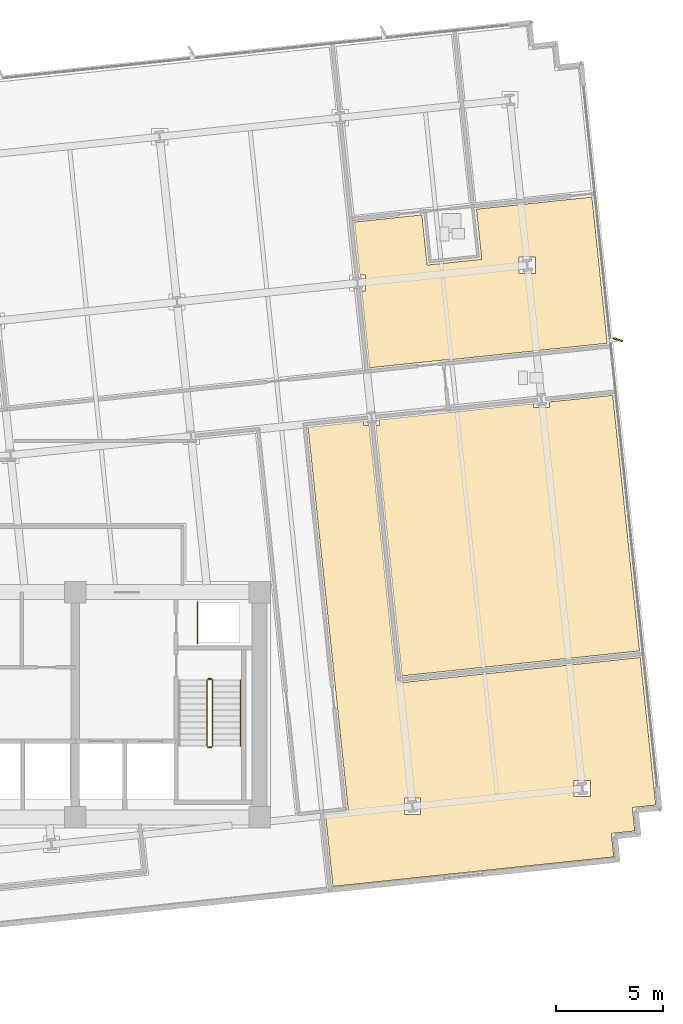
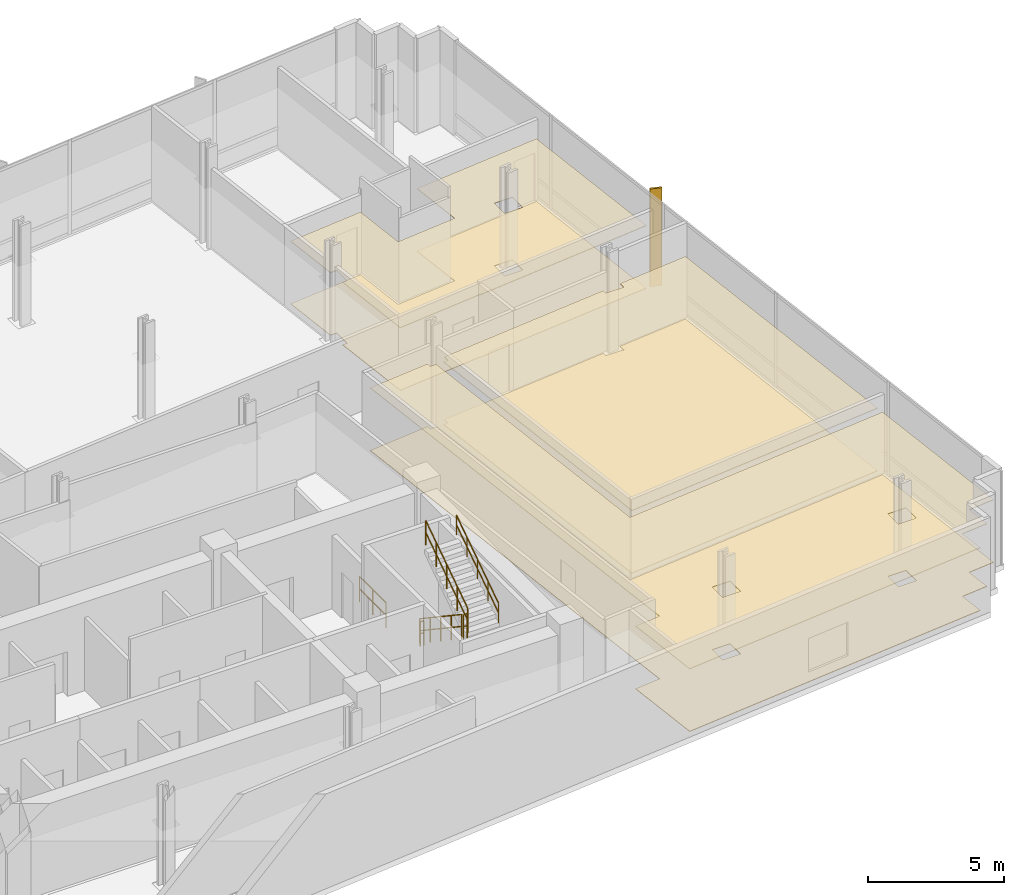
# One storey, part 18 of 20: 6 coverings, 6 railings, 1 shading device.
"""IFC4 building model written with IfcOpenShell, lengths in metres."""

from ifc_helpers import new_model, si_unit, direction, frame, origin, origin_2d, place, context, subcontext, project, spatial, polyline, rectangle, circle, outline, extrude, material, layer, layer_set, type_object, element, save


model = new_model("IFC4")

# Units and contexts
model_context = context("Model", 3, precision=1e-05, world=origin(), true_north=direction((0.0, 1.0)))
body_context = subcontext(model_context, "Body", "Model", "MODEL_VIEW")
ifc_project = project(units=[si_unit("LENGTHUNIT", "METRE"), si_unit("AREAUNIT", "SQUARE_METRE"), si_unit("VOLUMEUNIT", "CUBIC_METRE"), si_unit("PLANEANGLEUNIT", "RADIAN"), si_unit("MASSUNIT", "GRAM", prefix="KILO")], contexts=[model_context])

# Site, building, storey
site_placement = place(None, origin())
site = spatial("IfcSite", under=ifc_project, at=site_placement, CompositionType="ELEMENT")
building_placement = place(site_placement, origin())
building = spatial("IfcBuilding", under=site, at=building_placement, Name="Solmavex Isthmus Hotel", CompositionType="ELEMENT")
storey_placement = place(building_placement, frame((0.0, 0.0, 97.35009765625)))
storey = spatial("IfcBuildingStorey", under=building, at=storey_placement, Name="L26", CompositionType="ELEMENT", Elevation=97.35009765625)

# Coverings
ifc_material_1 = material(Name="Gypsum plasterboard lining", Category="gypsum")
ifc_layer_1 = layer(ifc_material_1, 0.030029296875)
ifc_layer_set_1 = layer_set([ifc_layer_1], Name="Gypsum plasterboard lining")
covering_type_1 = type_object("IfcCoveringType", Name="COV-CEIL-GYP", PredefinedType="CEILING", material=ifc_layer_set_1)
covering_1_placement = place(storey_placement, frame((0.0, 0.0, 2.7998046875)))
element("IfcCovering", 1, at=covering_1_placement, inside=storey, type_object=covering_type_1, Name="Suspended Acoustic Ceiling L26-SH04-LV", PredefinedType="CEILING", context=body_context, shape_type="SweptSolid", body=[
    extrude(outline(polyline([(23.56494140625, 15.09814453125), (20.418212890625, 14.767578125), (20.67724609375, 12.3017578125), (20.94140625, 12.3017578125), (20.94140625, 11.541748046875), (20.75732421875, 11.541748046875), (21.133056640625, 7.967041015625), (24.713134765625, 8.34326171875), (24.71533203125, 8.3232421875), (32.2119140625, 9.111328125), (31.4951171875, 15.931640625), (26.11083984375, 15.36572265625), (26.3564453125, 13.028564453125), (23.810546875, 12.760986328125), (23.56494140625, 15.09814453125)]), holes=[polyline([(28.105712890625, 12.374755859375), (28.105712890625, 13.134765625), (28.86572265625, 13.134765625), (28.86572265625, 12.374755859375), (28.105712890625, 12.374755859375)])]), origin(), (0.0, 0.0, 1.0), 0.030029296875),
])
covering_2_placement = place(storey_placement, frame((0.0, 0.0, 2.7998046875)))
element("IfcCovering", 2, at=covering_2_placement, inside=storey, type_object=covering_type_1, Name="Suspended Acoustic Ceiling L26-FL09", PredefinedType="CEILING", context=body_context, shape_type="SweptSolid", body=[
    extrude(outline(polyline([(29.524169921875, 6.375244140625), (29.524169921875, 6.111328125), (28.76416015625, 6.111328125), (28.76416015625, 6.29541015625), (24.816162109375, 5.880615234375), (21.599609375, 5.54248046875), (21.599609375, 5.2783203125), (21.41552734375, 5.2783203125), (22.643310546875, -6.40380859375), (33.720458984375, -5.23974609375), (32.467041015625, 6.6845703125), (29.524169921875, 6.375244140625)])), origin(), (0.0, 0.0, 1.0), 0.030029296875),
])
covering_3_placement = place(storey_placement, frame((0.0, 0.0, 2.7998046875)))
element("IfcCovering", 3, at=covering_3_placement, inside=storey, type_object=covering_type_1, Name="Suspended Acoustic Ceiling L26-FL12", PredefinedType="CEILING", context=body_context, shape_type="SweptSolid", body=[
    extrude(outline(polyline([(21.103759765625, 5.2783203125), (20.83984375, 5.2783203125), (20.83984375, 5.462646484375), (18.25439453125, 5.19091796875), (20.14111328125, -12.76025390625), (19.068115234375, -12.873046875), (19.420166015625, -16.224609375), (23.474853515625, -15.79833984375), (31.69775390625, -14.93408203125), (32.51806640625, -14.847900390625), (32.403076171875, -13.75390625), (33.4970703125, -13.638916015625), (33.447509765625, -13.16650390625), (33.382080078125, -12.544921875), (34.47607421875, -12.429931640625), (34.389892578125, -11.609619140625), (33.752685546875, -5.5478515625), (22.367431640625, -6.74462890625), (21.103759765625, 5.2783203125)]), holes=[polyline([(30.671630859375, -12.038818359375), (30.671630859375, -11.27880859375), (31.431640625, -11.27880859375), (31.431640625, -12.038818359375), (30.671630859375, -12.038818359375)]), polyline([(22.747314453125, -12.87158203125), (22.747314453125, -12.111572265625), (23.50732421875, -12.111572265625), (23.50732421875, -12.87158203125), (22.747314453125, -12.87158203125)])]), origin(), (0.0, 0.0, 1.0), 0.030029296875),
])
ifc_material_2 = material(Name="Travertine natural stone", Category="masonry")
ifc_layer_2 = layer(ifc_material_2, 0.02490234375)
ifc_layer_set_2 = layer_set([ifc_layer_2], Name="Travertine natural stone")
covering_type_2 = type_object("IfcCoveringType", Name="COV-FLOR-STN", PredefinedType="FLOORING", material=ifc_layer_set_2)
covering_4_placement = place(storey_placement, origin())
element("IfcCovering", 4, at=covering_4_placement, inside=storey, type_object=covering_type_2, Name="Stone and Timber Floor Finish L26-SH04-LV", PredefinedType="FLOORING", context=body_context, shape_type="SweptSolid", body=[
    extrude(outline(polyline([(23.56494140625, 15.09814453125), (20.418212890625, 14.767578125), (20.67724609375, 12.3017578125), (20.94140625, 12.3017578125), (20.94140625, 11.541748046875), (20.75732421875, 11.541748046875), (21.133056640625, 7.967041015625), (24.713134765625, 8.34326171875), (24.71533203125, 8.3232421875), (32.2119140625, 9.111328125), (31.4951171875, 15.931640625), (26.11083984375, 15.36572265625), (26.3564453125, 13.028564453125), (23.810546875, 12.760986328125), (23.56494140625, 15.09814453125)]), holes=[polyline([(28.105712890625, 12.374755859375), (28.105712890625, 13.134765625), (28.86572265625, 13.134765625), (28.86572265625, 12.374755859375), (28.105712890625, 12.374755859375)])]), origin(), (0.0, 0.0, 1.0), 0.02490234375),
])
covering_5_placement = place(storey_placement, origin())
element("IfcCovering", 5, at=covering_5_placement, inside=storey, type_object=covering_type_2, Name="Stone and Timber Floor Finish L26-FL09", PredefinedType="FLOORING", context=body_context, shape_type="SweptSolid", body=[
    extrude(outline(polyline([(29.524169921875, 6.375244140625), (29.524169921875, 6.111328125), (28.76416015625, 6.111328125), (28.76416015625, 6.29541015625), (24.816162109375, 5.880615234375), (21.599609375, 5.54248046875), (21.599609375, 5.2783203125), (21.41552734375, 5.2783203125), (22.643310546875, -6.40380859375), (33.720458984375, -5.23974609375), (32.467041015625, 6.6845703125), (29.524169921875, 6.375244140625)])), origin(), (0.0, 0.0, 1.0), 0.02490234375),
])
covering_6_placement = place(storey_placement, origin())
element("IfcCovering", 6, at=covering_6_placement, inside=storey, type_object=covering_type_2, Name="Stone and Timber Floor Finish L26-FL12", PredefinedType="FLOORING", context=body_context, shape_type="SweptSolid", body=[
    extrude(outline(polyline([(21.103759765625, 5.2783203125), (20.83984375, 5.2783203125), (20.83984375, 5.462646484375), (18.25439453125, 5.19091796875), (20.14111328125, -12.76025390625), (19.068115234375, -12.873046875), (19.420166015625, -16.224609375), (23.474853515625, -15.79833984375), (31.69775390625, -14.93408203125), (32.51806640625, -14.847900390625), (32.403076171875, -13.75390625), (33.4970703125, -13.638916015625), (33.447509765625, -13.16650390625), (33.382080078125, -12.544921875), (34.47607421875, -12.429931640625), (34.389892578125, -11.609619140625), (33.752685546875, -5.5478515625), (22.367431640625, -6.74462890625), (21.103759765625, 5.2783203125)]), holes=[polyline([(30.671630859375, -12.038818359375), (30.671630859375, -11.27880859375), (31.431640625, -11.27880859375), (31.431640625, -12.038818359375), (30.671630859375, -12.038818359375)]), polyline([(22.747314453125, -12.87158203125), (22.747314453125, -12.111572265625), (23.50732421875, -12.111572265625), (23.50732421875, -12.87158203125), (22.747314453125, -12.87158203125)])]), origin(), (0.0, 0.0, 1.0), 0.02490234375),
])

# Railings
ifc_material_3 = material(Name="Clear low-E laminated glass", Category="glass")
ifc_layer_3 = layer(ifc_material_3, 0.080078125)
ifc_layer_set_3 = layer_set([ifc_layer_3], Name="Clear low-E laminated glass")
railing_type_1 = type_object("IfcRailingType", Name="RAIL-ATRIUM-1120", PredefinedType="BALUSTRADE", material=ifc_layer_set_3)
railing_1_placement = place(storey_placement, frame((13.10009765625, -4.89990234375, 0.0)))
element("IfcRailing", 7, at=railing_1_placement, inside=storey, type_object=railing_type_1, Name="Guardrail Balustrade L26-RSE-01", PredefinedType="BALUSTRADE", context=body_context, shape_type="SweptSolid", body=[
    extrude(circle(Radius=0.02392578125, at=origin_2d()), frame((0.0, 0.0, 1.1259765625), z_axis=(0.0, 1.0, 0.0), x_axis=(-1.0, 0.0, 0.0)), (0.0, 0.0, 1.0), 1.949951171875),
    extrude(circle(Radius=0.02392578125, at=origin_2d()), frame((0.0, 0.0, 0.574951171875), z_axis=(0.0, 1.0, 0.0), x_axis=(-1.0, 0.0, 0.0)), (0.0, 0.0, 1.0), 1.949951171875),
    extrude(circle(Radius=0.02099609375, at=origin_2d()), origin(), (0.0, 0.0, 1.0), 1.101806640625),
    extrude(circle(Radius=0.02099609375, at=origin_2d()), frame((0.0, 0.97509765625, 0.0)), (0.0, 0.0, 1.0), 1.101806640625),
    extrude(circle(Radius=0.02099609375, at=origin_2d()), frame((0.0, 1.949951171875, 0.0)), (0.0, 0.0, 1.0), 1.101806640625),
])
ifc_material_4 = material(Name="Stainless steel 316", Category="steel")
ifc_layer_4 = layer(ifc_material_4, 0.06005859375)
ifc_layer_set_4 = layer_set([ifc_layer_4], Name="Stainless steel 316")
railing_type_2 = type_object("IfcRailingType", Name="RAIL-STAIR-GD", PredefinedType="GUARDRAIL", material=ifc_layer_set_4)
railing_2_placement = place(storey_placement, frame((13.550048828125, -6.60009765625, 0.1875)))
element("IfcRailing", 8, at=railing_2_placement, inside=storey, type_object=railing_type_2, Name="L26 ST-2 stair guard 1", PredefinedType="GUARDRAIL", context=body_context, shape_type="SweptSolid", body=[
    extrude(circle(Radius=0.02392578125, at=origin_2d()), frame((0.0, 0.0, 1.09619140625), z_axis=(0.0, -0.830893310487, 0.556431762742), x_axis=(1.0, 0.0, 0.0)), (0.0, 0.0, 1.0), 3.70654296875),
    extrude(circle(Radius=0.02392578125, at=origin_2d()), frame((0.0, 0.0, 0.56005859375), z_axis=(0.0, -0.830893310487, 0.556431762742), x_axis=(1.0, 0.0, 0.0)), (0.0, 0.0, 1.0), 3.70654296875),
    extrude(circle(Radius=0.02099609375, at=origin_2d()), origin(), (0.0, 0.0, 1.0), 1.072021484375),
    extrude(circle(Radius=0.02099609375, at=origin_2d()), frame((0.0, -0.77001953125, 0.515625)), (0.0, 0.0, 1.0), 1.072021484375),
    extrude(circle(Radius=0.02099609375, at=origin_2d()), frame((0.0, -1.5400390625, 1.03125)), (0.0, 0.0, 1.0), 1.072021484375),
    extrude(circle(Radius=0.02099609375, at=origin_2d()), frame((0.0, -2.309814453125, 1.546875)), (0.0, 0.0, 1.0), 1.072021484375),
    extrude(circle(Radius=0.02099609375, at=origin_2d()), frame((0.0, -3.079833984375, 2.0625)), (0.0, 0.0, 1.0), 1.072021484375),
])
railing_3_placement = place(storey_placement, frame((13.60009765625, -9.72998046875, 2.25)))
element("IfcRailing", 9, at=railing_3_placement, inside=storey, type_object=railing_type_2, Name="L26 ST-2 stair guard 2", PredefinedType="GUARDRAIL", context=body_context, shape_type="SweptSolid", body=[
    extrude(circle(Radius=0.02392578125, at=origin_2d()), frame((0.0, 0.0, 1.09619140625), z_axis=(1.0, 0.0, 0.0), x_axis=(0.0, 1.0, 0.0)), (0.0, 0.0, 1.0), 0.14990234375),
    extrude(circle(Radius=0.02392578125, at=origin_2d()), frame((0.0, 0.0, 0.56005859375), z_axis=(1.0, 0.0, 0.0), x_axis=(0.0, 1.0, 0.0)), (0.0, 0.0, 1.0), 0.14990234375),
    extrude(circle(Radius=0.02099609375, at=origin_2d()), origin(), (0.0, 0.0, 1.0), 1.072021484375),
    extrude(circle(Radius=0.02099609375, at=origin_2d()), frame((0.14990234375, 0.0, 0.0)), (0.0, 0.0, 1.0), 1.072021484375),
])
railing_4_placement = place(storey_placement, frame((13.800048828125, -9.679931640625, 2.4375)))
element("IfcRailing", 10, at=railing_4_placement, inside=storey, type_object=railing_type_2, Name="L26 ST-2 stair guard 3", PredefinedType="GUARDRAIL", context=body_context, shape_type="SweptSolid", body=[
    extrude(circle(Radius=0.02392578125, at=origin_2d()), frame((0.0, 0.0, 1.09619140625), z_axis=(0.0, 0.830893310487, 0.556431762742), x_axis=(-1.0, 0.0, 0.0)), (0.0, 0.0, 1.0), 3.70654296875),
    extrude(circle(Radius=0.02392578125, at=origin_2d()), frame((0.0, 0.0, 0.56005859375), z_axis=(0.0, 0.830893310487, 0.556431762742), x_axis=(-1.0, 0.0, 0.0)), (0.0, 0.0, 1.0), 3.70654296875),
    extrude(circle(Radius=0.02099609375, at=origin_2d()), origin(), (0.0, 0.0, 1.0), 1.072021484375),
    extrude(circle(Radius=0.02099609375, at=origin_2d()), frame((0.0, 0.77001953125, 0.515625)), (0.0, 0.0, 1.0), 1.072021484375),
    extrude(circle(Radius=0.02099609375, at=origin_2d()), frame((0.0, 1.5400390625, 1.03125)), (0.0, 0.0, 1.0), 1.072021484375),
    extrude(circle(Radius=0.02099609375, at=origin_2d()), frame((0.0, 2.309814453125, 1.546875)), (0.0, 0.0, 1.0), 1.072021484375),
    extrude(circle(Radius=0.02099609375, at=origin_2d()), frame((0.0, 3.079833984375, 2.0625)), (0.0, 0.0, 1.0), 1.072021484375),
])
railing_5_placement = place(storey_placement, frame((13.60009765625, -6.550048828125, 0.0)))
element("IfcRailing", 11, at=railing_5_placement, inside=storey, type_object=railing_type_2, Name="L26 ST-2 stair guard 4", PredefinedType="GUARDRAIL", context=body_context, shape_type="SweptSolid", body=[
    extrude(circle(Radius=0.02392578125, at=origin_2d()), frame((0.0, 0.0, 1.09619140625), z_axis=(1.0, 0.0, 0.0), x_axis=(0.0, 1.0, 0.0)), (0.0, 0.0, 1.0), 0.14990234375),
    extrude(circle(Radius=0.02392578125, at=origin_2d()), frame((0.0, 0.0, 0.56005859375), z_axis=(1.0, 0.0, 0.0), x_axis=(0.0, 1.0, 0.0)), (0.0, 0.0, 1.0), 0.14990234375),
    extrude(circle(Radius=0.02099609375, at=origin_2d()), origin(), (0.0, 0.0, 1.0), 1.072021484375),
    extrude(circle(Radius=0.02099609375, at=origin_2d()), frame((0.14990234375, 0.0, 0.0)), (0.0, 0.0, 1.0), 1.072021484375),
])
ifc_layer_5 = layer(ifc_material_4, 0.050048828125)
ifc_layer_set_5 = layer_set([ifc_layer_5], Name="Stainless steel 316")
railing_type_3 = type_object("IfcRailingType", Name="RAIL-STAIR-HR", PredefinedType="HANDRAIL", material=ifc_layer_set_5)
railing_6_placement = place(storey_placement, frame((15.10009765625, -9.679931640625, 2.4375)))
element("IfcRailing", 12, at=railing_6_placement, inside=storey, type_object=railing_type_3, Name="L26 ST-2 stair handrail 2", PredefinedType="HANDRAIL", context=body_context, shape_type="SweptSolid", body=[
    extrude(circle(Radius=0.02392578125, at=origin_2d()), frame((0.0, 0.0, 0.8759765625), z_axis=(0.0, 0.830893310487, 0.556431762742), x_axis=(-1.0, 0.0, 0.0)), (0.0, 0.0, 1.0), 3.70654296875),
    extrude(circle(Radius=0.02392578125, at=origin_2d()), frame((0.0, 0.0, 0.449951171875), z_axis=(0.0, 0.830893310487, 0.556431762742), x_axis=(-1.0, 0.0, 0.0)), (0.0, 0.0, 1.0), 3.70654296875),
    extrude(circle(Radius=0.02099609375, at=origin_2d()), origin(), (0.0, 0.0, 1.0), 0.851806640625),
    extrude(circle(Radius=0.02099609375, at=origin_2d()), frame((0.0, 0.77001953125, 0.515625)), (0.0, 0.0, 1.0), 0.851806640625),
    extrude(circle(Radius=0.02099609375, at=origin_2d()), frame((0.0, 1.5400390625, 1.03125)), (0.0, 0.0, 1.0), 0.851806640625),
    extrude(circle(Radius=0.02099609375, at=origin_2d()), frame((0.0, 2.309814453125, 1.546875)), (0.0, 0.0, 1.0), 0.851806640625),
    extrude(circle(Radius=0.02099609375, at=origin_2d()), frame((0.0, 3.079833984375, 2.0625)), (0.0, 0.0, 1.0), 0.851806640625),
])

# Shading device
ifc_material_5 = material(Name="Aluminium alloy 6063-T6", Category="aluminium")
shading_device_type = type_object("IfcShadingDeviceType", Name="SHD-FIN-BRONZE", PredefinedType="USERDEFINED", material=ifc_material_5)
shading_device_placement = place(storey_placement, frame((32.712158203125, 9.279541015625, -0.14013671875), z_axis=(0.0, 0.0, 1.0), x_axis=(0.951056516295, -0.309016994375, 0.0)))
element("IfcShadingDevice", 13, at=shading_device_placement, inside=storey, type_object=shading_device_type, Name="Anodised Aluminium Solar Fin L26-E1", ObjectType="SOLAR_FIN", PredefinedType="USERDEFINED", context=body_context, shape_type="SweptSolid", body=[
    extrude(rectangle(XDim=0.449951171875, YDim=0.080078125, at=origin_2d()), origin(), (0.0, 0.0, 1.0), 4.3798828125),
])

save(model, "model.ifc")
